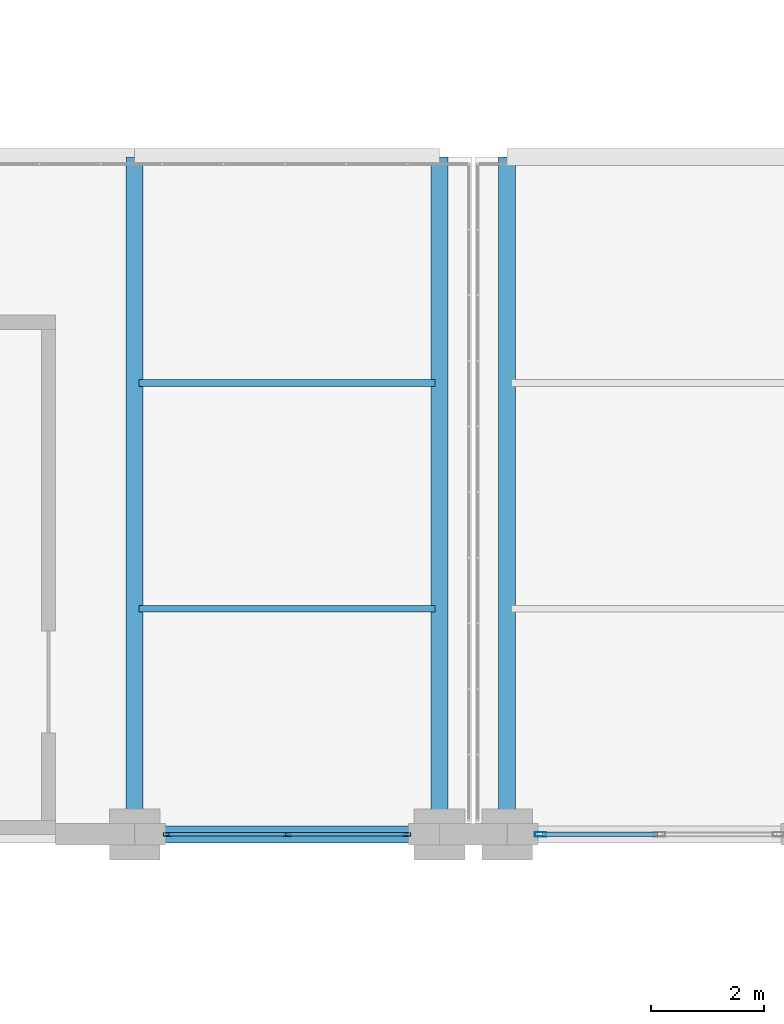
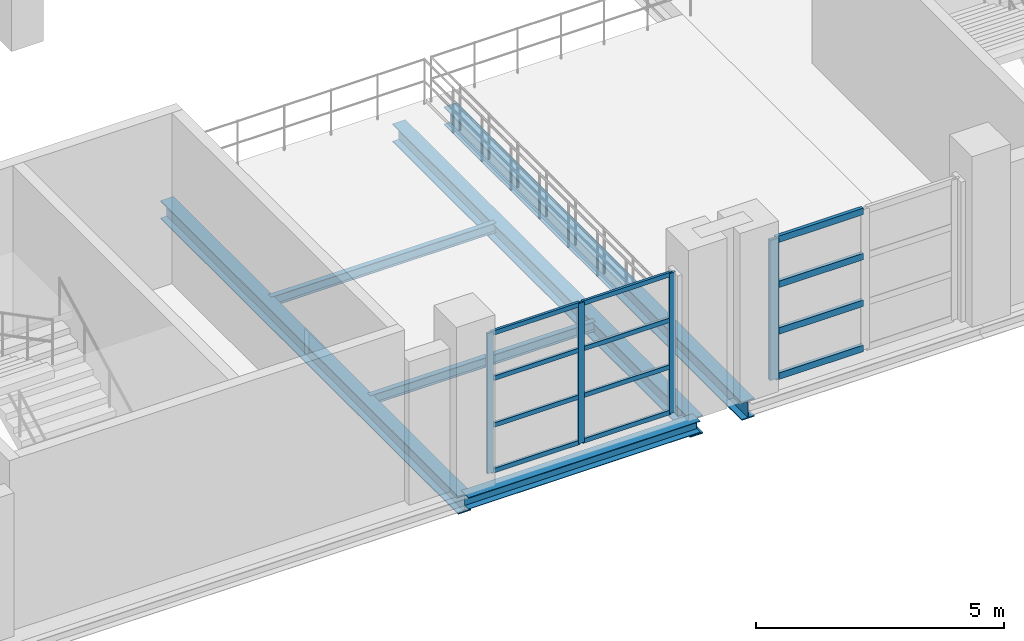
# One storey, part 100 of 158: 16 members, 6 beams, 2 elements without a shape of their own.
"""IFC4 building model written with IfcOpenShell, lengths in metres."""

from ifc_helpers import new_model, si_unit, direction, frame, origin, origin_2d, place, context, subcontext, project, spatial, hollow_rectangle, i_section, extrude, material, layer, layer_set, material_profile, profile_set, type_object, element, aggregate, save


model = new_model("IFC4")

# Units and contexts
model_context = context("Model", 3, precision=1e-05, world=origin(), true_north=direction((0.0, 1.0)))
body_context = subcontext(model_context, "Body", "Model", "MODEL_VIEW")
ifc_project = project(units=[si_unit("LENGTHUNIT", "METRE"), si_unit("AREAUNIT", "SQUARE_METRE"), si_unit("VOLUMEUNIT", "CUBIC_METRE"), si_unit("PLANEANGLEUNIT", "RADIAN"), si_unit("MASSUNIT", "GRAM", prefix="KILO")], contexts=[model_context])

# Site, building, storey
site_placement = place(None, origin())
site = spatial("IfcSite", under=ifc_project, at=site_placement, CompositionType="ELEMENT")
building_placement = place(site_placement, origin())
building = spatial("IfcBuilding", under=site, at=building_placement, Name="Zilviju Railside Exhibition Hall", CompositionType="ELEMENT")
storey_placement = place(building_placement, frame((0.0, 0.0, 4.199951171875)))
storey = spatial("IfcBuildingStorey", under=building, at=storey_placement, Name="L02", CompositionType="ELEMENT", Elevation=4.199951171875)

# Beams
ifc_material_1 = material(Name="Steel S355J2", Category="steel")
ifc_material_profile_1 = material_profile(ifc_material_1, i_section(OverallWidth=0.300048828125, OverallDepth=0.2900390625, WebThickness=0.008544921875, FlangeThickness=0.013916015625, at=origin_2d()), Name="HEA 300")
ifc_profile_set_1 = profile_set([ifc_material_profile_1], Name="Steel S355J2")
beam_type_1 = type_object("IfcBeamType", Name="BM-HEA300", PredefinedType="SPANDREL", material=ifc_profile_set_1)
beam_placement = place(storey_placement, frame((168.0, 84.0, -0.474853515625), z_axis=(1.0, 0.0, 0.0), x_axis=(0.0, 1.0, 0.0)))
element("IfcBeam", 1, at=beam_placement, inside=storey, type_object=beam_type_1, Name="Primary Girder L02 Y=84.0 (168.0..173.4)", PredefinedType="SPANDREL", context=body_context, shape_type="SweptSolid", body=[
    extrude(i_section(OverallWidth=0.300048828125, OverallDepth=0.2900390625, WebThickness=0.008544921875, FlangeThickness=0.013916015625, at=origin_2d()), origin(), (0.0, 0.0, 1.0), 5.39990234375),
])
ifc_material_profile_2 = material_profile(ifc_material_1, i_section(OverallWidth=0.300048828125, OverallDepth=0.449951171875, WebThickness=0.013916015625, FlangeThickness=0.02587890625, at=origin_2d()), Name="HEB 450")
ifc_profile_set_2 = profile_set([ifc_material_profile_2], Name="Steel S355J2")
beam_type_2 = type_object("IfcBeamType", Name="BM-HEB450", PredefinedType="BEAM", material=ifc_profile_set_2)
for number, where, z_axis, x_axis, name in (
    (2, (168.0, 84.0, -0.554931640625), (0.0, 1.0, 0.0), (-1.0, 0.0, 0.0), "Transverse Girder L02 X=168.0 (84.0..96.0)"),
    (3, (173.39990234375, 84.0, -0.554931640625), (0.0, 1.0, 0.0), (-1.0, 0.0, 0.0), "Transverse Girder L02 X=173.4 (84.0..96.0)"),
    (4, (174.60009765625, 84.0, -0.554931640625), (0.0, 1.0, 0.0), (-1.0, 0.0, 0.0), "Transverse Girder L02 X=174.6 (84.0..96.0)"),
):
    element("IfcBeam", number, at=place(storey_placement, frame(where, z_axis=z_axis, x_axis=x_axis)), inside=storey, type_object=beam_type_2, Name=name, PredefinedType="BEAM", context=body_context, shape_type="SweptSolid", body=[
        extrude(i_section(OverallWidth=0.300048828125, OverallDepth=0.449951171875, WebThickness=0.013916015625, FlangeThickness=0.02587890625, at=origin_2d()), origin(), (0.0, 0.0, 1.0), 12.0),
    ])
ifc_material_profile_3 = material_profile(ifc_material_1, i_section(OverallWidth=0.1201171875, OverallDepth=0.239990234375, WebThickness=0.006103515625, FlangeThickness=0.009765625, at=origin_2d()), Name="IPE 240")
ifc_profile_set_3 = profile_set([ifc_material_profile_3], Name="Steel S355J2")
beam_type_3 = type_object("IfcBeamType", Name="BM-IPE240", PredefinedType="JOIST", material=ifc_profile_set_3)
for number, where, z_axis, x_axis, name in (
    (5, (168.080078125, 88.0, -0.449951171875), (1.0, 0.0, 0.0), (0.0, 1.0, 0.0), "Composite Floor Joist L02 Y=88.00 (168.0..173.4)"),
    (6, (168.080078125, 92.0, -0.449951171875), (1.0, 0.0, 0.0), (0.0, 1.0, 0.0), "Composite Floor Joist L02 Y=92.00 (168.0..173.4)"),
):
    element("IfcBeam", number, at=place(storey_placement, frame(where, z_axis=z_axis, x_axis=x_axis)), inside=storey, type_object=beam_type_3, Name=name, PredefinedType="JOIST", context=body_context, shape_type="SweptSolid", body=[
        extrude(i_section(OverallWidth=0.1201171875, OverallDepth=0.239990234375, WebThickness=0.006103515625, FlangeThickness=0.009765625, at=origin_2d()), origin(), (0.0, 0.0, 1.0), 5.239990234375),
    ])

# Curtain wall, members
ifc_material_2 = material(Name="Thermally broken aluminium-steel triple-glazed curtain wall", Category="steel")
ifc_layer_1 = layer(ifc_material_2, 0.179931640625)
ifc_layer_set_1 = layer_set([ifc_layer_1], Name="Thermally broken aluminium-steel triple-glazed curtain wall")
curtain_wall_type_1 = type_object("IfcCurtainWallType", Name="CW-BAY-09", PredefinedType="USERDEFINED", material=ifc_layer_set_1)
curtain_wall_1_placement = place(storey_placement, origin())
curtain_wall_1 = element("IfcCurtainWall", 7, at=curtain_wall_1_placement, inside=storey, type_object=curtain_wall_type_1, Name="North Hall Garden Court Curtain Wall L02 (168..173)", ObjectType="GLAZED CURTAIN WALL", PredefinedType="USERDEFINED")
ifc_material_3 = material(Name="Thermally broken anodized aluminium mullion", Category="aluminium")
ifc_material_profile_4 = material_profile(ifc_material_3, hollow_rectangle(XDim=0.06005859375, YDim=0.139892578125, WallThickness=0.0048828125, at=origin_2d()), Name="MULLION 140x60x5")
ifc_profile_set_4 = profile_set([ifc_material_profile_4], Name="Thermally broken anodized aluminium mullion")
member_type_1 = type_object("IfcMemberType", Name="CWM-60x140", PredefinedType="MULLION", material=ifc_profile_set_4)
member_1_placement = place(storey_placement, frame((172.820068359375, 84.0, 0.0), z_axis=(0.0, 0.0, 1.0), x_axis=(0.0, -1.0, 0.0)))
member_1 = element("IfcMember", 8, at=member_1_placement, type_object=member_type_1, Name="CW-09 mullion 1", PredefinedType="MULLION", context=body_context, shape_type="SweptSolid", body=[
    extrude(hollow_rectangle(XDim=0.06005859375, YDim=0.139892578125, WallThickness=0.0048828125, at=origin_2d()), origin(), (0.0, 0.0, 1.0), 3.449951171875),
])
member_2_placement = place(storey_placement, frame((170.699951171875, 84.0, 0.0), z_axis=(0.0, 0.0, 1.0), x_axis=(0.0, -1.0, 0.0)))
member_2 = element("IfcMember", 9, at=member_2_placement, type_object=member_type_1, Name="CW-09 mullion 2", PredefinedType="MULLION", context=body_context, shape_type="SweptSolid", body=[
    extrude(hollow_rectangle(XDim=0.06005859375, YDim=0.139892578125, WallThickness=0.0048828125, at=origin_2d()), origin(), (0.0, 0.0, 1.0), 3.449951171875),
])
member_3_placement = place(storey_placement, frame((168.580078125, 84.0, 0.0), z_axis=(0.0, 0.0, 1.0), x_axis=(0.0, -1.0, 0.0)))
member_3 = element("IfcMember", 10, at=member_3_placement, type_object=member_type_1, Name="CW-09 mullion 3", PredefinedType="MULLION", context=body_context, shape_type="SweptSolid", body=[
    extrude(hollow_rectangle(XDim=0.06005859375, YDim=0.139892578125, WallThickness=0.0048828125, at=origin_2d()), origin(), (0.0, 0.0, 1.0), 3.449951171875),
])

# Curtain wall, member
ifc_layer_2 = layer(ifc_material_2, 0.179931640625)
ifc_layer_set_2 = layer_set([ifc_layer_2], Name="Thermally broken aluminium-steel triple-glazed curtain wall")
curtain_wall_type_2 = type_object("IfcCurtainWallType", Name="CW-BAY-10", PredefinedType="USERDEFINED", material=ifc_layer_set_2)
curtain_wall_2_placement = place(storey_placement, origin())
curtain_wall_2 = element("IfcCurtainWall", 11, at=curtain_wall_2_placement, inside=storey, type_object=curtain_wall_type_2, Name="North Hall Garden Court Curtain Wall L02 (175..180)", ObjectType="GLAZED CURTAIN WALL", PredefinedType="USERDEFINED")
ifc_material_profile_5 = material_profile(ifc_material_3, hollow_rectangle(XDim=0.080078125, YDim=0.199951171875, WallThickness=0.0048828125, at=origin_2d()), Name="MULLION 200x80x5")
ifc_profile_set_5 = profile_set([ifc_material_profile_5], Name="Thermally broken anodized aluminium mullion")
member_type_2 = type_object("IfcMemberType", Name="CWM-80x200", PredefinedType="MULLION", material=ifc_profile_set_5)
member_4_placement = place(storey_placement, frame((175.18994140625, 84.0, 0.0), z_axis=(0.0, 0.0, 1.0), x_axis=(0.0, -1.0, 0.0)))
member_4 = element("IfcMember", 12, at=member_4_placement, type_object=member_type_2, Name="CW-10 mullion 3", PredefinedType="MULLION", context=body_context, shape_type="SweptSolid", body=[
    extrude(hollow_rectangle(XDim=0.080078125, YDim=0.199951171875, WallThickness=0.0048828125, at=origin_2d()), origin(), (0.0, 0.0, 1.0), 3.449951171875),
])

# Member
ifc_material_4 = material(Name="Thermally broken anodized aluminium transom", Category="aluminium")
ifc_material_profile_6 = material_profile(ifc_material_4, hollow_rectangle(XDim=0.06005859375, YDim=0.110107421875, WallThickness=0.0048828125, at=origin_2d()), Name="TRANSOM 110x60x5")
ifc_profile_set_6 = profile_set([ifc_material_profile_6], Name="Thermally broken anodized aluminium transom")
member_type_3 = type_object("IfcMemberType", Name="CWT-60x110", PredefinedType="USERDEFINED", material=ifc_profile_set_6)
member_5_placement = place(storey_placement, frame((172.7900390625, 84.0, 0.030029296875), z_axis=(-1.0, 0.0, 0.0), x_axis=(0.0, -1.0, 0.0)))
member_5 = element("IfcMember", 13, at=member_5_placement, type_object=member_type_3, Name="CW-09 transom 1.1", ObjectType="TRANSOM", PredefinedType="USERDEFINED", context=body_context, shape_type="SweptSolid", body=[
    extrude(hollow_rectangle(XDim=0.06005859375, YDim=0.110107421875, WallThickness=0.0048828125, at=origin_2d()), origin(), (0.0, 0.0, 1.0), 2.06005859375),
])

member_6_placement = place(storey_placement, frame((172.7900390625, 84.0, 1.150146484375), z_axis=(-1.0, 0.0, 0.0), x_axis=(0.0, -1.0, 0.0)))
member_6 = element("IfcMember", 14, at=member_6_placement, type_object=member_type_3, Name="CW-09 transom 1.2", ObjectType="TRANSOM", PredefinedType="USERDEFINED", context=body_context, shape_type="SweptSolid", body=[
    extrude(hollow_rectangle(XDim=0.06005859375, YDim=0.110107421875, WallThickness=0.0048828125, at=origin_2d()), origin(), (0.0, 0.0, 1.0), 2.06005859375),
])

member_7_placement = place(storey_placement, frame((172.7900390625, 84.0, 2.300048828125), z_axis=(-1.0, 0.0, 0.0), x_axis=(0.0, -1.0, 0.0)))
member_7 = element("IfcMember", 15, at=member_7_placement, type_object=member_type_3, Name="CW-09 transom 1.3", ObjectType="TRANSOM", PredefinedType="USERDEFINED", context=body_context, shape_type="SweptSolid", body=[
    extrude(hollow_rectangle(XDim=0.06005859375, YDim=0.110107421875, WallThickness=0.0048828125, at=origin_2d()), origin(), (0.0, 0.0, 1.0), 2.06005859375),
])

member_8_placement = place(storey_placement, frame((172.7900390625, 84.0, 3.420166015625), z_axis=(-1.0, 0.0, 0.0), x_axis=(0.0, -1.0, 0.0)))
member_8 = element("IfcMember", 16, at=member_8_placement, type_object=member_type_3, Name="CW-09 transom 1.4", ObjectType="TRANSOM", PredefinedType="USERDEFINED", context=body_context, shape_type="SweptSolid", body=[
    extrude(hollow_rectangle(XDim=0.06005859375, YDim=0.110107421875, WallThickness=0.0048828125, at=origin_2d()), origin(), (0.0, 0.0, 1.0), 2.06005859375),
])

member_9_placement = place(storey_placement, frame((170.669921875, 84.0, 0.030029296875), z_axis=(-1.0, 0.0, 0.0), x_axis=(0.0, -1.0, 0.0)))
member_9 = element("IfcMember", 17, at=member_9_placement, type_object=member_type_3, Name="CW-09 transom 2.1", ObjectType="TRANSOM", PredefinedType="USERDEFINED", context=body_context, shape_type="SweptSolid", body=[
    extrude(hollow_rectangle(XDim=0.06005859375, YDim=0.110107421875, WallThickness=0.0048828125, at=origin_2d()), origin(), (0.0, 0.0, 1.0), 2.059814453125),
])

member_10_placement = place(storey_placement, frame((170.669921875, 84.0, 1.150146484375), z_axis=(-1.0, 0.0, 0.0), x_axis=(0.0, -1.0, 0.0)))
member_10 = element("IfcMember", 18, at=member_10_placement, type_object=member_type_3, Name="CW-09 transom 2.2", ObjectType="TRANSOM", PredefinedType="USERDEFINED", context=body_context, shape_type="SweptSolid", body=[
    extrude(hollow_rectangle(XDim=0.06005859375, YDim=0.110107421875, WallThickness=0.0048828125, at=origin_2d()), origin(), (0.0, 0.0, 1.0), 2.059814453125),
])

member_11_placement = place(storey_placement, frame((170.669921875, 84.0, 2.300048828125), z_axis=(-1.0, 0.0, 0.0), x_axis=(0.0, -1.0, 0.0)))
member_11 = element("IfcMember", 19, at=member_11_placement, type_object=member_type_3, Name="CW-09 transom 2.3", ObjectType="TRANSOM", PredefinedType="USERDEFINED", context=body_context, shape_type="SweptSolid", body=[
    extrude(hollow_rectangle(XDim=0.06005859375, YDim=0.110107421875, WallThickness=0.0048828125, at=origin_2d()), origin(), (0.0, 0.0, 1.0), 2.059814453125),
])

member_12_placement = place(storey_placement, frame((170.669921875, 84.0, 3.420166015625), z_axis=(-1.0, 0.0, 0.0), x_axis=(0.0, -1.0, 0.0)))
member_12 = element("IfcMember", 20, at=member_12_placement, type_object=member_type_3, Name="CW-09 transom 2.4", ObjectType="TRANSOM", PredefinedType="USERDEFINED", context=body_context, shape_type="SweptSolid", body=[
    extrude(hollow_rectangle(XDim=0.06005859375, YDim=0.110107421875, WallThickness=0.0048828125, at=origin_2d()), origin(), (0.0, 0.0, 1.0), 2.059814453125),
])

aggregate(curtain_wall_1, [member_1, member_2, member_3, member_5, member_6, member_7, member_8, member_9, member_10, member_11, member_12])

ifc_material_profile_7 = material_profile(ifc_material_4, hollow_rectangle(XDim=0.080078125, YDim=0.159912109375, WallThickness=0.0048828125, at=origin_2d()), Name="TRANSOM 160x80x5")
ifc_profile_set_7 = profile_set([ifc_material_profile_7], Name="Thermally broken anodized aluminium transom")
member_type_4 = type_object("IfcMemberType", Name="CWT-80x160", PredefinedType="USERDEFINED", material=ifc_profile_set_7)
member_13_placement = place(storey_placement, frame((177.260009765625, 84.0, 0.0400390625), z_axis=(-1.0, 0.0, 0.0), x_axis=(0.0, -1.0, 0.0)))
member_13 = element("IfcMember", 21, at=member_13_placement, type_object=member_type_4, Name="CW-10 transom 2.1", ObjectType="TRANSOM", PredefinedType="USERDEFINED", context=body_context, shape_type="SweptSolid", body=[
    extrude(hollow_rectangle(XDim=0.080078125, YDim=0.159912109375, WallThickness=0.0048828125, at=origin_2d()), origin(), (0.0, 0.0, 1.0), 2.030029296875),
])

member_14_placement = place(storey_placement, frame((177.260009765625, 84.0, 1.150146484375), z_axis=(-1.0, 0.0, 0.0), x_axis=(0.0, -1.0, 0.0)))
member_14 = element("IfcMember", 22, at=member_14_placement, type_object=member_type_4, Name="CW-10 transom 2.2", ObjectType="TRANSOM", PredefinedType="USERDEFINED", context=body_context, shape_type="SweptSolid", body=[
    extrude(hollow_rectangle(XDim=0.080078125, YDim=0.159912109375, WallThickness=0.0048828125, at=origin_2d()), origin(), (0.0, 0.0, 1.0), 2.030029296875),
])

member_15_placement = place(storey_placement, frame((177.260009765625, 84.0, 2.300048828125), z_axis=(-1.0, 0.0, 0.0), x_axis=(0.0, -1.0, 0.0)))
member_15 = element("IfcMember", 23, at=member_15_placement, type_object=member_type_4, Name="CW-10 transom 2.3", ObjectType="TRANSOM", PredefinedType="USERDEFINED", context=body_context, shape_type="SweptSolid", body=[
    extrude(hollow_rectangle(XDim=0.080078125, YDim=0.159912109375, WallThickness=0.0048828125, at=origin_2d()), origin(), (0.0, 0.0, 1.0), 2.030029296875),
])

member_16_placement = place(storey_placement, frame((177.260009765625, 84.0, 3.41015625), z_axis=(-1.0, 0.0, 0.0), x_axis=(0.0, -1.0, 0.0)))
member_16 = element("IfcMember", 24, at=member_16_placement, type_object=member_type_4, Name="CW-10 transom 2.4", ObjectType="TRANSOM", PredefinedType="USERDEFINED", context=body_context, shape_type="SweptSolid", body=[
    extrude(hollow_rectangle(XDim=0.080078125, YDim=0.159912109375, WallThickness=0.0048828125, at=origin_2d()), origin(), (0.0, 0.0, 1.0), 2.030029296875),
])

aggregate(curtain_wall_2, [member_4, member_13, member_14, member_15, member_16])

save(model, "model.ifc")
